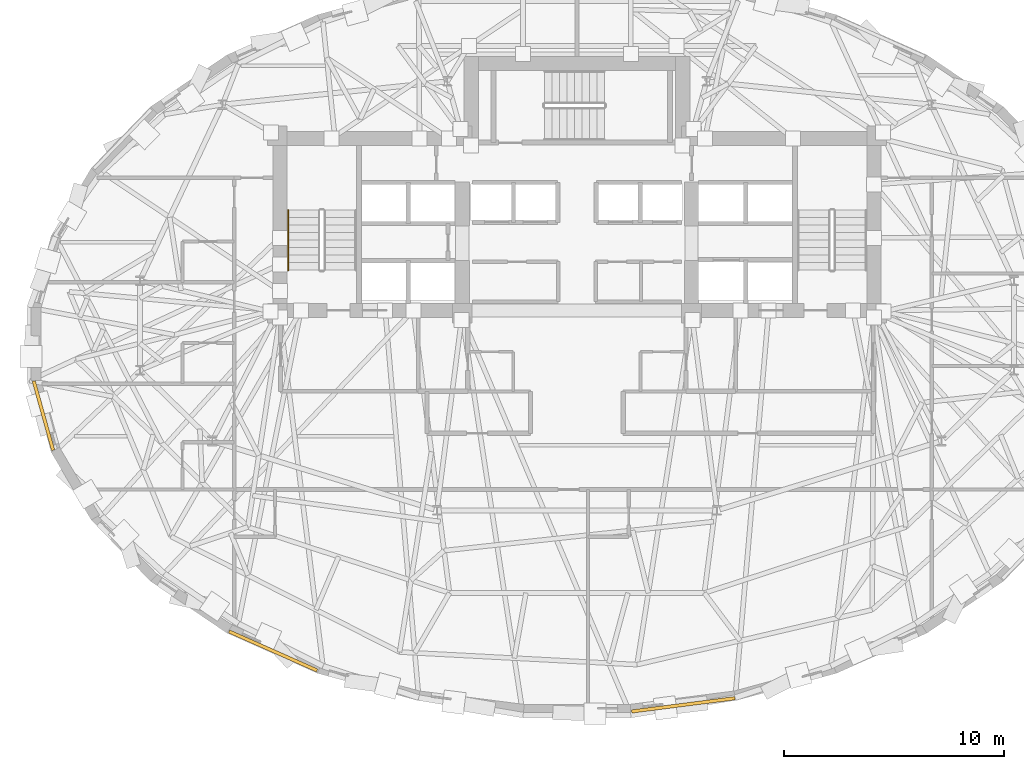
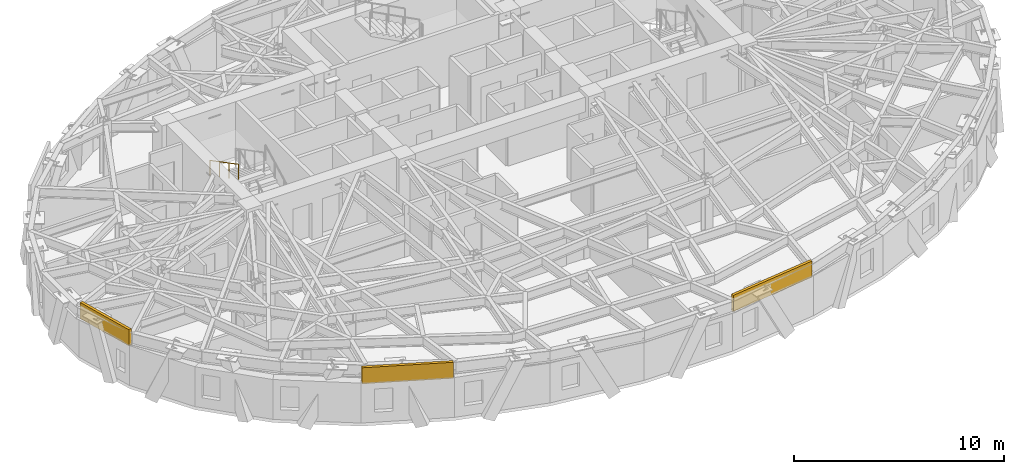
# One storey, part 11 of 14: 3 coverings, 1 railing.
"""IFC4 building model written with IfcOpenShell, lengths in metres."""

from ifc_helpers import new_model, si_unit, direction, frame, origin, origin_2d, place, context, subcontext, project, spatial, rectangle, circle, extrude, material, layer, layer_set, type_object, element, save


model = new_model("IFC4")

# Units and contexts
model_context = context("Model", 3, precision=1e-05, world=origin(), true_north=direction((0.0, 1.0)))
body_context = subcontext(model_context, "Body", "Model", "MODEL_VIEW")
ifc_project = project(units=[si_unit("LENGTHUNIT", "METRE"), si_unit("AREAUNIT", "SQUARE_METRE"), si_unit("VOLUMEUNIT", "CUBIC_METRE"), si_unit("PLANEANGLEUNIT", "RADIAN"), si_unit("MASSUNIT", "GRAM", prefix="KILO")], contexts=[model_context])

# Site, building, storey
site_placement = place(None, origin())
site = spatial("IfcSite", under=ifc_project, at=site_placement, CompositionType="ELEMENT")
building_placement = place(site_placement, origin())
building = spatial("IfcBuilding", under=site, at=building_placement, Name="Keldmark Tower", CompositionType="ELEMENT")
storey_placement = place(building_placement, frame((0.0, 0.0, 169.39990234375)))
storey = spatial("IfcBuildingStorey", under=building, at=storey_placement, Name="L46", CompositionType="ELEMENT", Elevation=169.39990234375)

# Coverings
ifc_material_1 = material(Name="Honed Kasota Buff Dolomitic Limestone", Category="masonry")
ifc_layer = layer(ifc_material_1, 0.074951171875)
ifc_layer_set = layer_set([ifc_layer], Name="Honed Kasota Buff Dolomitic Limestone")
covering_type = type_object("IfcCoveringType", Name="Kasota Buff Limestone Spandrel Cladding Band", PredefinedType="CLADDING", material=ifc_layer_set)
covering_1_placement = place(storey_placement, frame((-24.205322265625, -3.25, 2.2392578125), z_axis=(0.0, 0.0, 1.0), x_axis=(0.26920558486, -0.963082734286, 0.0)))
element("IfcCovering", 1, at=covering_1_placement, inside=storey, type_object=covering_type, Name="L46 Kasota Limestone Spandrel Band 17", PredefinedType="CLADDING", context=body_context, shape_type="SweptSolid", body=[
    extrude(rectangle(XDim=3.2568359375, YDim=0.14990234375, at=origin_2d()), origin(), (0.0, 0.0, 1.0), 0.94091796875),
])
covering_2_placement = place(storey_placement, frame((-13.78466796875, -13.9267578125, 2.2392578125), z_axis=(0.0, 0.0, 1.0), x_axis=(0.913921308103, -0.405891417247, 0.0)))
element("IfcCovering", 2, at=covering_2_placement, inside=storey, type_object=covering_type, Name="L46 Kasota Limestone Spandrel Band 21", PredefinedType="CLADDING", context=body_context, shape_type="SweptSolid", body=[
    extrude(rectangle(XDim=4.367431640625, YDim=0.14990234375, at=origin_2d()), origin(), (0.0, 0.0, 1.0), 0.94091796875),
])
covering_3_placement = place(storey_placement, frame((4.823974609375, -16.370849609375, 2.2392578125), z_axis=(0.0, 0.0, 1.0), x_axis=(0.991850028246, 0.12741083733, 0.0)))
element("IfcCovering", 3, at=covering_3_placement, inside=storey, type_object=covering_type, Name="L46 Kasota Limestone Spandrel Band 25", PredefinedType="CLADDING", context=body_context, shape_type="SweptSolid", body=[
    extrude(rectangle(XDim=4.717041015625, YDim=0.14990234375, at=origin_2d()), origin(), (0.0, 0.0, 1.0), 0.94091796875),
])

# Railing
ifc_material_2 = material(Name="Stainless Steel AISI 316L", Category="steel")
railing_type = type_object("IfcRailingType", Name="Stainless Steel Stair Handrail 900 mm", PredefinedType="HANDRAIL", material=ifc_material_2)
railing_placement = place(storey_placement, frame((-13.10009765625, 6.070068359375, 1.77783203125)))
element("IfcRailing", 4, at=railing_placement, inside=storey, type_object=railing_type, Name="L46 ST1 stair handrail 2", PredefinedType="HANDRAIL", context=body_context, shape_type="SweptSolid", body=[
    extrude(circle(Radius=0.02392578125, at=origin_2d()), frame((0.0, 0.0, 0.8759765625), z_axis=(0.0, -0.886150474775, 0.463397600399), x_axis=(1.0, 0.0, 0.0)), (0.0, 0.0, 1.0), 3.0693359375),
    extrude(circle(Radius=0.02099609375, at=origin_2d()), origin(), (0.0, 0.0, 1.0), 0.851806640625),
    extrude(circle(Radius=0.02099609375, at=origin_2d()), frame((0.0, -0.90673828125, 0.47412109375)), (0.0, 0.0, 1.0), 0.851806640625),
    extrude(circle(Radius=0.02099609375, at=origin_2d()), frame((0.0, -1.813232421875, 0.9482421875)), (0.0, 0.0, 1.0), 0.851806640625),
    extrude(circle(Radius=0.02099609375, at=origin_2d()), frame((0.0, -2.719970703125, 1.42236328125)), (0.0, 0.0, 1.0), 0.851806640625),
])

save(model, "model.ifc")
